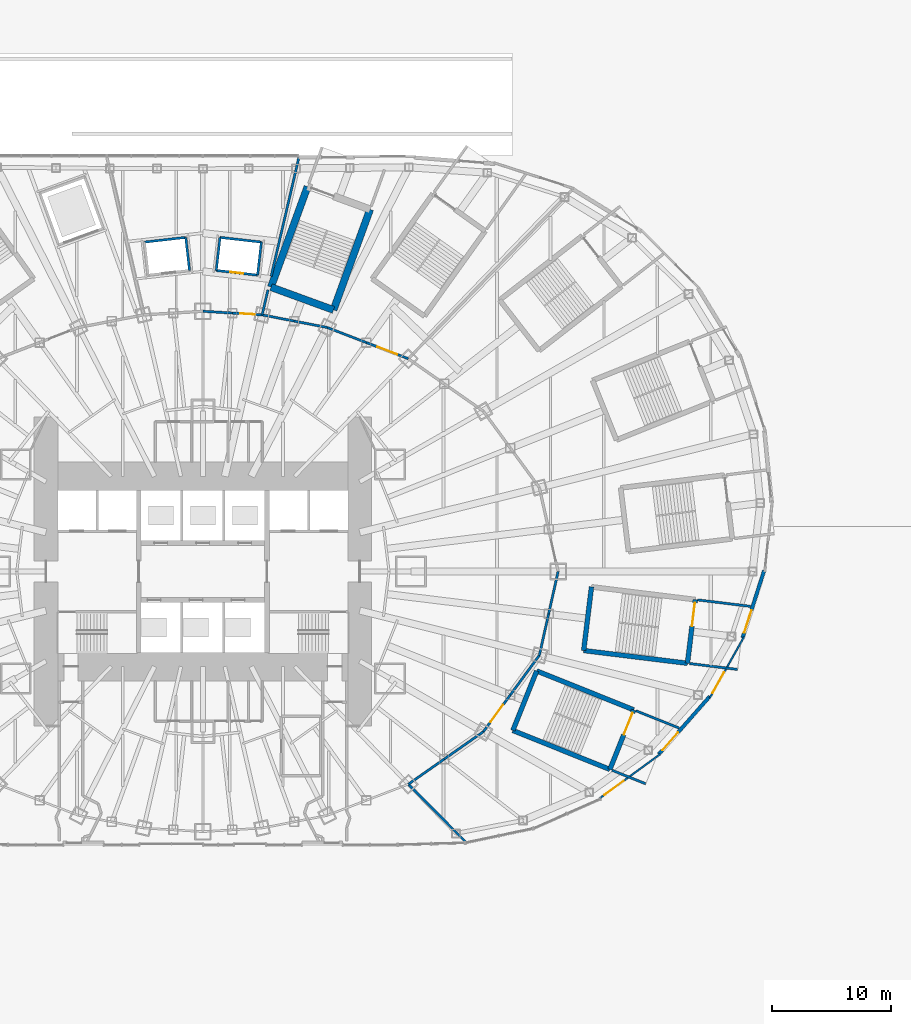
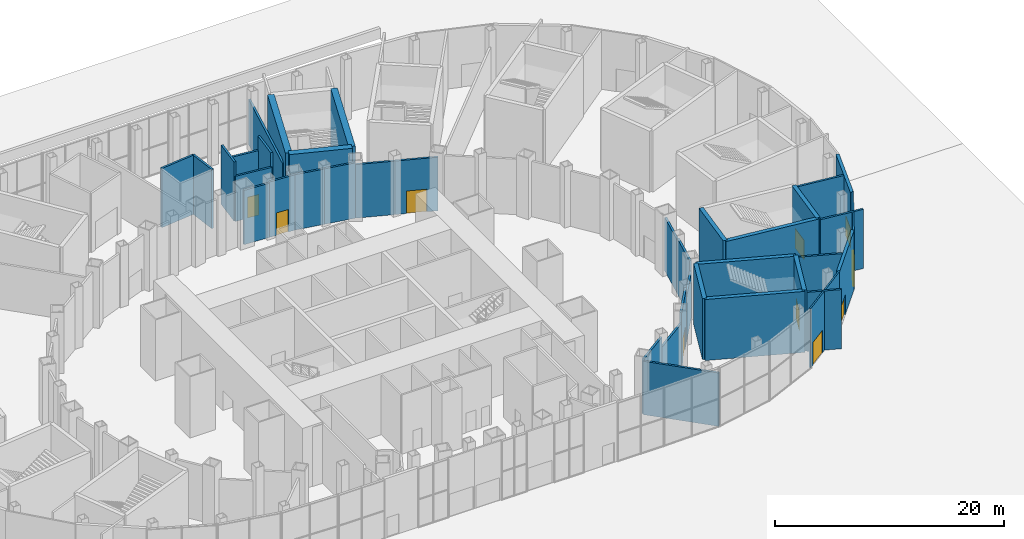
# One storey, part 20 of 47: 39 walls, 10 doors, 10 openings.
"""IFC4 building model written with IfcOpenShell, lengths in metres."""

from ifc_helpers import new_model, si_unit, direction, frame, frame_2d, origin, place, context, subcontext, project, spatial, rectangle, extrude, material, layer, layer_set, type_object, element, fill, save


model = new_model("IFC4")

# Units and contexts
model_context = context("Model", 3, precision=1e-05, world=origin(), true_north=direction((0.0, 1.0)))
body_context = subcontext(model_context, "Body", "Model", "MODEL_VIEW")
ifc_project = project(units=[si_unit("LENGTHUNIT", "METRE"), si_unit("AREAUNIT", "SQUARE_METRE"), si_unit("VOLUMEUNIT", "CUBIC_METRE"), si_unit("PLANEANGLEUNIT", "RADIAN"), si_unit("MASSUNIT", "GRAM", prefix="KILO")], contexts=[model_context])

# Site, building, storey
site_placement = place(None, origin())
site = spatial("IfcSite", under=ifc_project, at=site_placement, CompositionType="ELEMENT")
building_placement = place(site_placement, origin())
building = spatial("IfcBuilding", under=site, at=building_placement, Name="Lantaw Convention Tower", CompositionType="ELEMENT")
storey_placement = place(building_placement, origin())
storey = spatial("IfcBuildingStorey", under=building, at=storey_placement, Name="L00", CompositionType="ELEMENT", Elevation=0.0)

# Walls
ifc_material_1 = material(Name="Concrete blockwork, fire rated", Category="masonry")
ifc_layer_1 = layer(ifc_material_1, 0.199951171875)
ifc_layer_set_1 = layer_set([ifc_layer_1], Name="Exit vestibule wall 200 EI 120")
wall_type_1 = type_object("IfcWallType", Name="Exit vestibule wall 200 EI 120", PredefinedType="SOLIDWALL", material=ifc_layer_set_1)
wall_1_placement = place(storey_placement, frame((34.439208984375, -16.734619140625, 0.0), z_axis=(0.0, 0.0, 1.0), x_axis=(0.928012232862, -0.372549722396, 0.0)))
element("IfcWall", 1, at=wall_1_placement, inside=storey, type_object=wall_type_1, Name="Exit vestibule wall 200", PredefinedType="SOLIDWALL", context=body_context, shape_type="SweptSolid", body=[
    extrude(rectangle(XDim=3.0498046875, YDim=0.199951171875, at=frame_2d((1.52490234375, 0.0))), origin(), (0.0, 0.0, 1.0), 6.300048828125),
])
wall_2_placement = place(storey_placement, frame((36.450927734375, -11.723388671875, 0.0), z_axis=(0.0, 0.0, 1.0), x_axis=(0.928024835595, -0.372518327762, 0.0)))
element("IfcWall", 2, at=wall_2_placement, inside=storey, type_object=wall_type_1, Name="Exit vestibule wall 200", PredefinedType="SOLIDWALL", context=body_context, shape_type="SweptSolid", body=[
    extrude(rectangle(XDim=3.91845703125, YDim=0.199951171875, at=frame_2d((1.959228515625, 0.0))), origin(), (0.0, 0.0, 1.0), 6.300048828125),
])
wall_3_placement = place(storey_placement, frame((40.9833984375, -7.75244140625, 0.0), z_axis=(0.0, 0.0, 1.0), x_axis=(0.992543583225, -0.121890259659, 0.0)))
element("IfcWall", 3, at=wall_3_placement, inside=storey, type_object=wall_type_1, Name="Exit vestibule wall 200", PredefinedType="SOLIDWALL", context=body_context, shape_type="SweptSolid", body=[
    extrude(rectangle(XDim=4.050048828125, YDim=0.199951171875, at=frame_2d((2.02490234375, 0.0))), origin(), (0.0, 0.0, 1.0), 6.300048828125),
])
wall_4_placement = place(storey_placement, frame((41.6416015625, -2.392578125, 0.0), z_axis=(0.0, 0.0, 1.0), x_axis=(0.992546688155, -0.12186497377, 0.0)))
element("IfcWall", 4, at=wall_4_placement, inside=storey, type_object=wall_type_1, Name="Exit vestibule wall 200", PredefinedType="SOLIDWALL", context=body_context, shape_type="SweptSolid", body=[
    extrude(rectangle(XDim=4.487548828125, YDim=0.199951171875, at=frame_2d((2.24365234375, 0.0))), origin(), (0.0, 0.0, 1.0), 6.300048828125),
])

# Wall, opening, door
ifc_material_2 = material(Name="Aluminium framed glazing", Category="aluminium")
ifc_layer_2 = layer(ifc_material_2, 0.14990234375)
ifc_layer_set_2 = layer_set([ifc_layer_2], Name="Glazed entrance screen 150")
wall_type_2 = type_object("IfcWallType", Name="Glazed entrance screen 150", PredefinedType="ELEMENTEDWALL", material=ifc_layer_set_2)
wall_5_placement = place(storey_placement, frame((33.39892578125, -19.091796875, 0.0), z_axis=(0.0, 0.0, 1.0), x_axis=(0.807916937434, 0.589296378919, 0.0)))
wall_5 = element("IfcWall", 5, at=wall_5_placement, inside=storey, type_object=wall_type_2, Name="Glazed entrance screen", PredefinedType="ELEMENTEDWALL", context=body_context, shape_type="SweptSolid", body=[
    extrude(rectangle(XDim=6.308349609375, YDim=0.14990234375, at=frame_2d((3.154296875, 0.0))), origin(), (0.0, 0.0, 1.0), 6.300048828125),
])
opening_1_placement = place(wall_5_placement, frame((0.5, 0.0, 0.0)))
opening_1 = element("IfcOpeningElement", 6, at=opening_1_placement, cuts=wall_5, Name="Opening L00.X44", PredefinedType="OPENING", context=body_context, shape_type="SweptSolid", body=[
    extrude(rectangle(XDim=2.0, YDim=2.39990234375, at=frame_2d((1.0, 1.199951171875))), frame((0.0, 0.0849609375, 0.0), z_axis=(0.0, -1.0, 0.0), x_axis=(1.0, 0.0, 0.0)), (0.0, 0.0, 1.0), 0.169921875),
])
ifc_material_3 = material(Name="Aluminium and glass", Category="aluminium")
door_type_1 = type_object("IfcDoorType", Name="Entrance double door 2000", OperationType="DOUBLE_DOOR_DOUBLE_SWING", PredefinedType="DOOR", material=ifc_material_3)
door_1_placement = place(opening_1_placement, origin())
door_1 = element("IfcDoor", 7, at=door_1_placement, inside=storey, type_object=door_type_1, Name="Entrance", OperationType="DOUBLE_DOOR_DOUBLE_SWING", OverallHeight=2.39990234375, OverallWidth=2.0, PredefinedType="DOOR", context=body_context, shape_type="SweptSolid", body=[
    extrude(rectangle(XDim=2.0, YDim=2.39990234375, at=frame_2d((1.0, 1.199951171875))), frame((0.0, 0.02490234375, 0.0), z_axis=(0.0, -1.0, 0.0), x_axis=(1.0, 0.0, 0.0)), (0.0, 0.0, 1.0), 0.050048828125),
])
fill(opening_1, door_1)

wall_6_placement = place(storey_placement, frame((42.65478515625, -10.654296875, 0.0), z_axis=(0.0, 0.0, 1.0), x_axis=(0.489563544979, 0.871967622924, 0.0)))
wall_6 = element("IfcWall", 8, at=wall_6_placement, inside=storey, type_object=wall_type_2, Name="Glazed entrance screen", PredefinedType="ELEMENTEDWALL", context=body_context, shape_type="SweptSolid", body=[
    extrude(rectangle(XDim=5.882568359375, YDim=0.14990234375, at=frame_2d((2.94140625, 0.0))), origin(), (0.0, 0.0, 1.0), 6.300048828125),
])
opening_2_placement = place(wall_6_placement, frame((0.5, 0.0, 0.0)))
opening_2 = element("IfcOpeningElement", 9, at=opening_2_placement, cuts=wall_6, Name="Opening L00.X46", PredefinedType="OPENING", context=body_context, shape_type="SweptSolid", body=[
    extrude(rectangle(XDim=2.0, YDim=2.39990234375, at=frame_2d((1.0, 1.199951171875))), frame((0.0, 0.0849609375, 0.0), z_axis=(0.0, -1.0, 0.0), x_axis=(1.0, 0.0, 0.0)), (0.0, 0.0, 1.0), 0.169921875),
])
door_2_placement = place(opening_2_placement, origin())
door_2 = element("IfcDoor", 10, at=door_2_placement, inside=storey, type_object=door_type_1, Name="Entrance", OperationType="DOUBLE_DOOR_DOUBLE_SWING", OverallHeight=2.39990234375, OverallWidth=2.0, PredefinedType="DOOR", context=body_context, shape_type="SweptSolid", body=[
    extrude(rectangle(XDim=2.0, YDim=2.39990234375, at=frame_2d((1.0, 1.199951171875))), frame((0.0, 0.02490234375, 0.0), z_axis=(0.0, -1.0, 0.0), x_axis=(1.0, 0.0, 0.0)), (0.0, 0.0, 1.0), 0.050048828125),
])
fill(opening_2, door_2)

# Walls
ifc_layer_3 = layer(ifc_material_1, 0.199951171875)
ifc_layer_set_3 = layer_set([ifc_layer_3], Name="Lift shaft wall 200 EI 120")
wall_type_3 = type_object("IfcWallType", Name="Lift shaft wall 200 EI 120", PredefinedType="SOLIDWALL", material=ifc_layer_set_3)
wall_7_placement = place(storey_placement, frame((4.602783203125, 24.939208984375, 0.0), z_axis=(0.0, 0.0, 1.0), x_axis=(0.113177712989, 0.993574760792, 0.0)))
element("IfcWall", 11, at=wall_7_placement, inside=storey, type_object=wall_type_3, Name="Lift shaft wall", PredefinedType="SOLIDWALL", context=body_context, shape_type="SweptSolid", body=[
    extrude(rectangle(XDim=2.800048828125, YDim=0.199951171875, at=frame_2d((1.39990234375, 0.0))), origin(), (0.0, 0.0, 1.0), 6.300048828125),
])
wall_8_placement = place(storey_placement, frame((4.919677734375, 27.72119140625, 0.0), z_axis=(0.0, 0.0, 1.0), x_axis=(-0.993571061716, 0.113210182053, 0.0)))
element("IfcWall", 12, at=wall_8_placement, inside=storey, type_object=wall_type_3, Name="Lift shaft wall", PredefinedType="SOLIDWALL", context=body_context, shape_type="SweptSolid", body=[
    extrude(rectangle(XDim=3.5, YDim=0.199951171875, at=frame_2d((1.75, 0.0))), origin(), (0.0, 0.0, 1.0), 4.800048828125),
])
wall_9_placement = place(storey_placement, frame((1.442138671875, 28.117431640625, 0.0), z_axis=(0.0, 0.0, 1.0), x_axis=(-0.113177712989, -0.993574760792, 0.0)))
element("IfcWall", 13, at=wall_9_placement, inside=storey, type_object=wall_type_3, Name="Lift shaft wall", PredefinedType="SOLIDWALL", context=body_context, shape_type="SweptSolid", body=[
    extrude(rectangle(XDim=2.800048828125, YDim=0.199951171875, at=frame_2d((1.39990234375, 0.0))), origin(), (0.0, 0.0, 1.0), 6.300048828125),
])

# Wall, opening, door
wall_10_placement = place(storey_placement, frame((1.125244140625, 25.33544921875, 0.0), z_axis=(0.0, 0.0, 1.0), x_axis=(0.993571061716, -0.113210182053, 0.0)))
wall_10 = element("IfcWall", 14, at=wall_10_placement, inside=storey, type_object=wall_type_3, Name="Lift shaft wall", PredefinedType="SOLIDWALL", context=body_context, shape_type="SweptSolid", body=[
    extrude(rectangle(XDim=3.5, YDim=0.199951171875, at=frame_2d((1.75, 0.0))), origin(), (0.0, 0.0, 1.0), 4.800048828125),
])
opening_3_placement = place(wall_10_placement, frame((1.199951171875, 0.0, 0.0)))
opening_3 = element("IfcOpeningElement", 15, at=opening_3_placement, cuts=wall_10, Name="Opening LDPL1", PredefinedType="OPENING", context=body_context, shape_type="SweptSolid", body=[
    extrude(rectangle(XDim=1.10009765625, YDim=2.199951171875, at=frame_2d((0.550048828125, 1.10009765625))), frame((0.0, 0.10986328125, 0.0), z_axis=(0.0, -1.0, 0.0), x_axis=(1.0, 0.0, 0.0)), (0.0, 0.0, 1.0), 0.219970703125),
])
ifc_material_4 = material(Name="Stainless steel", Category="steel")
door_type_2 = type_object("IfcDoorType", Name="Lift landing door 1100", OperationType="DOUBLE_DOOR_SLIDING", PredefinedType="DOOR", material=ifc_material_4)
door_3_placement = place(opening_3_placement, origin())
door_3 = element("IfcDoor", 16, at=door_3_placement, inside=storey, type_object=door_type_2, Name="Lift landing door PL1", OperationType="DOUBLE_DOOR_SLIDING", OverallHeight=2.199951171875, OverallWidth=1.10009765625, PredefinedType="DOOR", context=body_context, shape_type="SweptSolid", body=[
    extrude(rectangle(XDim=1.10009765625, YDim=2.199951171875, at=frame_2d((0.550048828125, 1.10009765625))), frame((0.0, 0.02490234375, 0.0), z_axis=(0.0, -1.0, 0.0), x_axis=(1.0, 0.0, 0.0)), (0.0, 0.0, 1.0), 0.050048828125),
])
fill(opening_3, door_3)

# Walls
wall_11_placement = place(storey_placement, frame((-1.125244140625, 25.33544921875, 0.0), z_axis=(0.0, 0.0, 1.0), x_axis=(-0.113177712989, 0.993574760792, 0.0)))
element("IfcWall", 17, at=wall_11_placement, inside=storey, type_object=wall_type_3, Name="Lift shaft wall", PredefinedType="SOLIDWALL", context=body_context, shape_type="SweptSolid", body=[
    extrude(rectangle(XDim=2.800048828125, YDim=0.199951171875, at=frame_2d((1.39990234375, 0.0))), origin(), (0.0, 0.0, 1.0), 6.300048828125),
])
wall_12_placement = place(storey_placement, frame((-1.442138671875, 28.117431640625, 0.0), z_axis=(0.0, 0.0, 1.0), x_axis=(-0.993571061716, -0.113210182053, 0.0)))
element("IfcWall", 18, at=wall_12_placement, inside=storey, type_object=wall_type_3, Name="Lift shaft wall", PredefinedType="SOLIDWALL", context=body_context, shape_type="SweptSolid", body=[
    extrude(rectangle(XDim=3.5, YDim=0.199951171875, at=frame_2d((1.75, 0.0))), origin(), (0.0, 0.0, 1.0), 6.300048828125),
])

# Wall, opening, door
ifc_material_5 = material(Name="Precast concrete panel, pale aluminium rainscreen", Category="concrete")
ifc_layer_4 = layer(ifc_material_5, 0.300048828125)
ifc_layer_set_4 = layer_set([ifc_layer_4], Name="Podium external wall 300")
wall_type_4 = type_object("IfcWallType", Name="Podium external wall 300", PredefinedType="SOLIDWALL", material=ifc_layer_set_4)
wall_13_placement = place(storey_placement, frame((38.368408203125, -15.38916015625, 0.0), z_axis=(0.0, 0.0, 1.0), x_axis=(0.661196672464, 0.75021261008, 0.0)))
wall_13 = element("IfcWall", 19, at=wall_13_placement, inside=storey, type_object=wall_type_4, Name="Podium facade wall", PredefinedType="SOLIDWALL", context=body_context, shape_type="SweptSolid", body=[
    extrude(rectangle(XDim=6.48095703125, YDim=0.300048828125, at=frame_2d((3.240478515625, 0.0))), origin(), (0.0, 0.0, 1.0), 6.300048828125),
])
opening_4_placement = place(wall_13_placement, frame((0.449951171875, 0.0, 0.0)))
opening_4 = element("IfcOpeningElement", 20, at=opening_4_placement, cuts=wall_13, Name="Opening L00.X45", PredefinedType="OPENING", context=body_context, shape_type="SweptSolid", body=[
    extrude(rectangle(XDim=2.0, YDim=2.10009765625, at=frame_2d((1.0, 1.050048828125))), frame((0.0, 0.159912109375, 0.0), z_axis=(0.0, -1.0, 0.0), x_axis=(1.0, 0.0, 0.0)), (0.0, 0.0, 1.0), 0.320068359375),
])
door_type_3 = type_object("IfcDoorType", Name="Exit double door 2000", OperationType="DOUBLE_DOOR_DOUBLE_SWING", PredefinedType="DOOR", material=ifc_material_3)
door_4_placement = place(opening_4_placement, origin())
door_4 = element("IfcDoor", 21, at=door_4_placement, inside=storey, type_object=door_type_3, Name="Exit door", OperationType="DOUBLE_DOOR_DOUBLE_SWING", OverallHeight=2.10009765625, OverallWidth=2.0, PredefinedType="DOOR", context=body_context, shape_type="SweptSolid", body=[
    extrude(rectangle(XDim=2.0, YDim=2.10009765625, at=frame_2d((1.0, 1.050048828125))), frame((0.0, 0.02490234375, 0.0), z_axis=(0.0, -1.0, 0.0), x_axis=(1.0, 0.0, 0.0)), (0.0, 0.0, 1.0), 0.050048828125),
])
fill(opening_4, door_4)

wall_14_placement = place(storey_placement, frame((45.42529296875, -5.5888671875, 0.0), z_axis=(0.0, 0.0, 1.0), x_axis=(0.304991367091, 0.95235511549, 0.0)))
wall_14 = element("IfcWall", 22, at=wall_14_placement, inside=storey, type_object=wall_type_4, Name="Podium facade wall", PredefinedType="SOLIDWALL", context=body_context, shape_type="SweptSolid", body=[
    extrude(rectangle(XDim=5.956298828125, YDim=0.300048828125, at=frame_2d((2.97802734375, 0.0))), origin(), (0.0, 0.0, 1.0), 6.300048828125),
])
opening_5_placement = place(wall_14_placement, frame((0.449951171875, 0.0, 0.0)))
opening_5 = element("IfcOpeningElement", 23, at=opening_5_placement, cuts=wall_14, Name="Opening L00.X47", PredefinedType="OPENING", context=body_context, shape_type="SweptSolid", body=[
    extrude(rectangle(XDim=2.0, YDim=2.10009765625, at=frame_2d((1.0, 1.050048828125))), frame((0.0, 0.159912109375, 0.0), z_axis=(0.0, -1.0, 0.0), x_axis=(1.0, 0.0, 0.0)), (0.0, 0.0, 1.0), 0.320068359375),
])
door_5_placement = place(opening_5_placement, origin())
door_5 = element("IfcDoor", 24, at=door_5_placement, inside=storey, type_object=door_type_3, Name="Exit door", OperationType="DOUBLE_DOOR_DOUBLE_SWING", OverallHeight=2.10009765625, OverallWidth=2.0, PredefinedType="DOOR", context=body_context, shape_type="SweptSolid", body=[
    extrude(rectangle(XDim=2.0, YDim=2.10009765625, at=frame_2d((1.0, 1.050048828125))), frame((0.0, 0.02490234375, 0.0), z_axis=(0.0, -1.0, 0.0), x_axis=(1.0, 0.0, 0.0)), (0.0, 0.0, 1.0), 0.050048828125),
])
fill(opening_5, door_5)

ifc_layer_5 = layer(ifc_material_1, 0.199951171875)
ifc_layer_set_5 = layer_set([ifc_layer_5], Name="Podium lobby wall 200 EI 120")
wall_type_5 = type_object("IfcWallType", Name="Podium lobby wall 200 EI 120", PredefinedType="SOLIDWALL", material=ifc_layer_set_5)
wall_15_placement = place(storey_placement, frame((4.986328125, 21.59814453125, 0.0), z_axis=(0.0, 0.0, 1.0), x_axis=(-0.998172405641, 0.060430527186, 0.0)))
wall_15 = element("IfcWall", 25, at=wall_15_placement, inside=storey, type_object=wall_type_5, Name="Podium lobby wall 200", PredefinedType="SOLIDWALL", context=body_context, shape_type="SweptSolid", body=[
    extrude(rectangle(XDim=2.512939453125, YDim=0.199951171875, at=frame_2d((1.25634765625, 0.0))), origin(), (0.0, 0.0, 1.0), 5.896240234375),
])
opening_6_placement = place(wall_15_placement, frame((0.639892578125, 0.0, 0.0)))
opening_6 = element("IfcOpeningElement", 26, at=opening_6_placement, cuts=wall_15, Name="Opening L00.20", PredefinedType="OPENING", context=body_context, shape_type="SweptSolid", body=[
    extrude(rectangle(XDim=1.199951171875, YDim=2.39990234375, at=frame_2d((0.60009765625, 1.199951171875))), frame((0.0, 0.10986328125, 0.0), z_axis=(0.0, -1.0, 0.0), x_axis=(1.0, 0.0, 0.0)), (0.0, 0.0, 1.0), 0.219970703125),
])
ifc_material_6 = material(Name="Steel, fire rated", Category="steel")
door_type_4 = type_object("IfcDoorType", Name="Lobby door 1200 FD90", OperationType="SINGLE_SWING_RIGHT", PredefinedType="DOOR", material=ifc_material_6)
door_6_placement = place(opening_6_placement, origin())
door_6 = element("IfcDoor", 27, at=door_6_placement, inside=storey, type_object=door_type_4, Name="Podium lift lobby door", OperationType="SINGLE_SWING_RIGHT", OverallHeight=2.39990234375, OverallWidth=1.199951171875, PredefinedType="DOOR", context=body_context, shape_type="SweptSolid", body=[
    extrude(rectangle(XDim=1.199951171875, YDim=2.39990234375, at=frame_2d((0.60009765625, 1.199951171875))), frame((0.0, 0.02490234375, 0.0), z_axis=(0.0, -1.0, 0.0), x_axis=(1.0, 0.0, 0.0)), (0.0, 0.0, 1.0), 0.050048828125),
])
fill(opening_6, door_6)

wall_16_placement = place(storey_placement, frame((23.60498046875, -13.488525390625, 0.0), z_axis=(0.0, 0.0, 1.0), x_axis=(0.591286566758, 0.806461527893, 0.0)))
wall_16 = element("IfcWall", 28, at=wall_16_placement, inside=storey, type_object=wall_type_5, Name="Podium lobby wall 200", PredefinedType="SOLIDWALL", context=body_context, shape_type="SweptSolid", body=[
    extrude(rectangle(XDim=3.843994140625, YDim=0.199951171875, at=frame_2d((1.921875, 0.0))), origin(), (0.0, 0.0, 1.0), 5.896240234375),
])
opening_7_placement = place(wall_16_placement, frame((1.022216796875, 0.0, 0.0)))
opening_7 = element("IfcOpeningElement", 29, at=opening_7_placement, cuts=wall_16, Name="Opening L00.18", PredefinedType="OPENING", context=body_context, shape_type="SweptSolid", body=[
    extrude(rectangle(XDim=1.800048828125, YDim=2.39990234375, at=frame_2d((0.89990234375, 1.199951171875))), frame((0.0, 0.10986328125, 0.0), z_axis=(0.0, -1.0, 0.0), x_axis=(1.0, 0.0, 0.0)), (0.0, 0.0, 1.0), 0.219970703125),
])
door_type_5 = type_object("IfcDoorType", Name="Lobby hall double door 1800 FD90", OperationType="DOUBLE_DOOR_DOUBLE_SWING", PredefinedType="DOOR", material=ifc_material_6)
door_7_placement = place(opening_7_placement, origin())
door_7 = element("IfcDoor", 30, at=door_7_placement, inside=storey, type_object=door_type_5, Name="Hotel arrival lobby door", OperationType="DOUBLE_DOOR_DOUBLE_SWING", OverallHeight=2.39990234375, OverallWidth=1.800048828125, PredefinedType="DOOR", context=body_context, shape_type="SweptSolid", body=[
    extrude(rectangle(XDim=1.800048828125, YDim=2.39990234375, at=frame_2d((0.89990234375, 1.199951171875))), frame((0.0, 0.02490234375, 0.0), z_axis=(0.0, -1.0, 0.0), x_axis=(1.0, 0.0, 0.0)), (0.0, 0.0, 1.0), 0.050048828125),
])
fill(opening_7, door_7)

ifc_material_7 = material(Name="Concrete blockwork", Category="masonry")
ifc_layer_6 = layer(ifc_material_7, 0.199951171875)
ifc_layer_set_6 = layer_set([ifc_layer_6], Name="Podium partition 200")
wall_type_6 = type_object("IfcWallType", Name="Podium partition 200", PredefinedType="SOLIDWALL", material=ifc_layer_set_6)
wall_17_placement = place(storey_placement, frame((17.290771484375, 17.9052734375, 0.0), z_axis=(0.0, 0.0, 1.0), x_axis=(-0.933224646415, 0.359293416754, 0.0)))
wall_17 = element("IfcWall", 31, at=wall_17_placement, inside=storey, type_object=wall_type_6, Name="Podium partition 200", PredefinedType="SOLIDWALL", context=body_context, shape_type="SweptSolid", body=[
    extrude(rectangle(XDim=3.799072265625, YDim=0.199951171875, at=frame_2d((1.8994140625, 0.0))), origin(), (0.0, 0.0, 1.0), 5.700439453125),
])
opening_8_placement = place(wall_17_placement, frame((0.99951171875, 0.0, 0.0)))
opening_8 = element("IfcOpeningElement", 32, at=opening_8_placement, cuts=wall_17, Name="Opening L00.19", PredefinedType="OPENING", context=body_context, shape_type="SweptSolid", body=[
    extrude(rectangle(XDim=1.800048828125, YDim=2.39990234375, at=frame_2d((0.89990234375, 1.199951171875))), frame((0.0, 0.10986328125, 0.0), z_axis=(0.0, -1.0, 0.0), x_axis=(1.0, 0.0, 0.0)), (0.0, 0.0, 1.0), 0.219970703125),
])
ifc_material_8 = material(Name="Timber", Category="wood")
door_type_6 = type_object("IfcDoorType", Name="Hall double door 1800", OperationType="DOUBLE_DOOR_DOUBLE_SWING", PredefinedType="DOOR", material=ifc_material_8)
door_8_placement = place(opening_8_placement, origin())
door_8 = element("IfcDoor", 33, at=door_8_placement, inside=storey, type_object=door_type_6, Name="Retail shop door", OperationType="DOUBLE_DOOR_DOUBLE_SWING", OverallHeight=2.39990234375, OverallWidth=1.800048828125, PredefinedType="DOOR", context=body_context, shape_type="SweptSolid", body=[
    extrude(rectangle(XDim=1.800048828125, YDim=2.39990234375, at=frame_2d((0.89990234375, 1.199951171875))), frame((0.0, 0.02490234375, 0.0), z_axis=(0.0, -1.0, 0.0), x_axis=(1.0, 0.0, 0.0)), (0.0, 0.0, 1.0), 0.050048828125),
])
fill(opening_8, door_8)

# Walls
wall_18_placement = place(storey_placement, frame((13.745361328125, 19.270263671875, 0.0), z_axis=(0.0, 0.0, 1.0), x_axis=(-0.933241815012, 0.359248820058, 0.0)))
element("IfcWall", 34, at=wall_18_placement, inside=storey, type_object=wall_type_6, Name="Podium partition 200", PredefinedType="SOLIDWALL", context=body_context, shape_type="SweptSolid", body=[
    extrude(rectangle(XDim=3.517578125, YDim=0.199951171875, at=frame_2d((1.7587890625, 0.0))), origin(), (0.0, 0.0, 1.0), 5.700439453125),
])
wall_19_placement = place(storey_placement, frame((10.462646484375, 20.533935546875, 0.0), z_axis=(0.0, 0.0, 1.0), x_axis=(-0.98163593748, 0.190763954266, 0.0)))
element("IfcWall", 35, at=wall_19_placement, inside=storey, type_object=wall_type_6, Name="Podium partition 200", PredefinedType="SOLIDWALL", context=body_context, shape_type="SweptSolid", body=[
    extrude(rectangle(XDim=2.84375, YDim=0.199951171875, at=frame_2d((1.421875, 0.0))), origin(), (0.0, 0.0, 1.0), 5.896240234375),
])
wall_20_placement = place(storey_placement, frame((7.671142578125, 21.076416015625, 0.0), z_axis=(0.0, 0.0, 1.0), x_axis=(-0.981637218105, 0.190757364289, 0.0)))
element("IfcWall", 36, at=wall_20_placement, inside=storey, type_object=wall_type_6, Name="Podium partition 200", PredefinedType="SOLIDWALL", context=body_context, shape_type="SweptSolid", body=[
    extrude(rectangle(XDim=2.735107421875, YDim=0.199951171875, at=frame_2d((1.36767578125, 0.0))), origin(), (0.0, 0.0, 1.0), 5.896240234375),
])
wall_21_placement = place(storey_placement, frame((2.47802734375, 21.75, 0.0), z_axis=(0.0, 0.0, 1.0), x_axis=(-0.998175328335, 0.060382231685, 0.0)))
element("IfcWall", 37, at=wall_21_placement, inside=storey, type_object=wall_type_6, Name="Podium partition 200", PredefinedType="SOLIDWALL", context=body_context, shape_type="SweptSolid", body=[
    extrude(rectangle(XDim=2.482666015625, YDim=0.199951171875, at=frame_2d((1.2412109375, 0.0))), origin(), (0.0, 0.0, 1.0), 5.774169921875),
])
wall_22_placement = place(storey_placement, frame((17.290771484375, -17.9052734375, 0.0), z_axis=(0.0, 0.0, 1.0), x_axis=(0.819431174801, 0.573177590075, 0.0)))
element("IfcWall", 38, at=wall_22_placement, inside=storey, type_object=wall_type_6, Name="Podium partition 200", PredefinedType="SOLIDWALL", context=body_context, shape_type="SweptSolid", body=[
    extrude(rectangle(XDim=3.68310546875, YDim=0.199951171875, at=frame_2d((1.841552734375, 0.0))), origin(), (0.0, 0.0, 1.0), 5.896240234375),
])
wall_23_placement = place(storey_placement, frame((20.308837890625, -15.794189453125, 0.0), z_axis=(0.0, 0.0, 1.0), x_axis=(0.81942291701, 0.57318939547, 0.0)))
element("IfcWall", 39, at=wall_23_placement, inside=storey, type_object=wall_type_6, Name="Podium partition 200", PredefinedType="SOLIDWALL", context=body_context, shape_type="SweptSolid", body=[
    extrude(rectangle(XDim=4.0224609375, YDim=0.199951171875, at=frame_2d((2.01123046875, 0.0))), origin(), (0.0, 0.0, 1.0), 4.800048828125),
])
wall_24_placement = place(storey_placement, frame((25.8779296875, -10.388427734375, 0.0), z_axis=(0.0, 0.0, 1.0), x_axis=(0.591255937291, 0.806483984105, 0.0)))
element("IfcWall", 40, at=wall_24_placement, inside=storey, type_object=wall_type_6, Name="Podium partition 200", PredefinedType="SOLIDWALL", context=body_context, shape_type="SweptSolid", body=[
    extrude(rectangle(XDim=4.126708984375, YDim=0.199951171875, at=frame_2d((2.0634765625, 0.0))), origin(), (0.0, 0.0, 1.0), 4.800048828125),
])
wall_25_placement = place(storey_placement, frame((28.31787109375, -7.060302734375, 0.0), z_axis=(0.0, 0.0, 1.0), x_axis=(0.218673326171, 0.97579812278, 0.0)))
element("IfcWall", 41, at=wall_25_placement, inside=storey, type_object=wall_type_6, Name="Podium partition 200", PredefinedType="SOLIDWALL", context=body_context, shape_type="SweptSolid", body=[
    extrude(rectangle(XDim=3.57373046875, YDim=0.199951171875, at=frame_2d((1.786865234375, 0.0))), origin(), (0.0, 0.0, 1.0), 5.896240234375),
])
wall_26_placement = place(storey_placement, frame((29.099365234375, -3.572998046875, 0.0), z_axis=(0.0, 0.0, 1.0), x_axis=(0.218631550323, 0.975807483679, 0.0)))
element("IfcWall", 42, at=wall_26_placement, inside=storey, type_object=wall_type_6, Name="Podium partition 200", PredefinedType="SOLIDWALL", context=body_context, shape_type="SweptSolid", body=[
    extrude(rectangle(XDim=3.66162109375, YDim=0.199951171875, at=frame_2d((1.830810546875, 0.0))), origin(), (0.0, 0.0, 1.0), 5.687744140625),
])
wall_27_placement = place(storey_placement, frame((4.986328125, 21.59814453125, 0.0), z_axis=(0.0, 0.0, 1.0), x_axis=(0.227351065365, 0.973812863479, 0.0)))
element("IfcWall", 43, at=wall_27_placement, inside=storey, type_object=wall_type_6, Name="Podium partition 200", PredefinedType="SOLIDWALL", context=body_context, shape_type="SweptSolid", body=[
    extrude(rectangle(XDim=2.16064453125, YDim=0.199951171875, at=frame_2d((1.080322265625, 0.0))), origin(), (0.0, 0.0, 1.0), 4.800048828125),
])
wall_28_placement = place(storey_placement, frame((5.745361328125, 24.848876953125, 0.0), z_axis=(0.0, 0.0, 1.0), x_axis=(0.227353607936, 0.973812269875, 0.0)))
element("IfcWall", 44, at=wall_28_placement, inside=storey, type_object=wall_type_6, Name="Podium partition 200", PredefinedType="SOLIDWALL", context=body_context, shape_type="SweptSolid", body=[
    extrude(rectangle(XDim=10.270263671875, YDim=0.199951171875, at=frame_2d((5.13525390625, 0.0))), origin(), (0.0, 0.0, 1.0), 4.800048828125),
])
wall_29_placement = place(storey_placement, frame((17.290771484375, -17.9052734375, 0.0), z_axis=(0.0, 0.0, 1.0), x_axis=(0.704323771284, -0.709878880658, 0.0)))
element("IfcWall", 45, at=wall_29_placement, inside=storey, type_object=wall_type_6, Name="Podium partition 200", PredefinedType="SOLIDWALL", context=body_context, shape_type="SweptSolid", body=[
    extrude(rectangle(XDim=6.85595703125, YDim=0.199951171875, at=frame_2d((3.427978515625, 0.0))), origin(), (0.0, 0.0, 1.0), 5.687744140625),
])
ifc_material_9 = material(Name="Concrete C40/50, stair core", Category="concrete")
ifc_layer_7 = layer(ifc_material_9, 0.39990234375)
ifc_layer_set_7 = layer_set([ifc_layer_7], Name="Stair enclosure wall 400 EI 120")
wall_type_7 = type_object("IfcWallType", Name="Stair enclosure wall 400 EI 120", PredefinedType="SHEAR", material=ifc_layer_set_7)
wall_30_placement = place(storey_placement, frame((26.0869140625, -13.3818359375, 0.0), z_axis=(0.0, 0.0, 1.0), x_axis=(0.92801678004, -0.372538395288, 0.0)))
element("IfcWall", 46, at=wall_30_placement, inside=storey, type_object=wall_type_7, Name="Stair enclosure wall", PredefinedType="SHEAR", context=body_context, shape_type="SweptSolid", body=[
    extrude(rectangle(XDim=8.800048828125, YDim=0.39990234375, at=frame_2d((4.39990234375, 0.0))), origin(), (0.0, 0.0, 1.0), 6.5),
])

# Wall, opening, door
wall_31_placement = place(storey_placement, frame((34.25341796875, -16.66015625, 0.0), z_axis=(0.0, 0.0, 1.0), x_axis=(0.372544066459, 0.928014503414, 0.0)))
wall_31 = element("IfcWall", 47, at=wall_31_placement, inside=storey, type_object=wall_type_7, Name="Stair enclosure wall", PredefinedType="SHEAR", context=body_context, shape_type="SweptSolid", body=[
    extrude(rectangle(XDim=5.39990234375, YDim=0.39990234375, at=frame_2d((2.699951171875, 0.0))), origin(), (0.0, 0.0, 1.0), 6.5),
])
opening_9_placement = place(wall_31_placement, frame((3.14990234375, 0.0, 0.0)))
opening_9 = element("IfcOpeningElement", 48, at=opening_9_placement, cuts=wall_31, Name="Opening L00.P12X", PredefinedType="OPENING", context=body_context, shape_type="SweptSolid", body=[
    extrude(rectangle(XDim=2.0, YDim=2.10009765625, at=frame_2d((1.0, 1.050048828125))), frame((0.0, 0.2099609375, 0.0), z_axis=(0.0, -1.0, 0.0), x_axis=(1.0, 0.0, 0.0)), (0.0, 0.0, 1.0), 0.419921875),
])
door_type_7 = type_object("IfcDoorType", Name="Stair discharge double door 2000 FD90", OperationType="DOUBLE_DOOR_DOUBLE_SWING", PredefinedType="DOOR", material=ifc_material_6)
door_9_placement = place(opening_9_placement, origin())
door_9 = element("IfcDoor", 49, at=door_9_placement, inside=storey, type_object=door_type_7, Name="Exit stair discharge door", OperationType="DOUBLE_DOOR_DOUBLE_SWING", OverallHeight=2.10009765625, OverallWidth=2.0, PredefinedType="DOOR", context=body_context, shape_type="SweptSolid", body=[
    extrude(rectangle(XDim=2.0, YDim=2.10009765625, at=frame_2d((1.0, 1.050048828125))), frame((0.0, 0.02490234375, 0.0), z_axis=(0.0, -1.0, 0.0), x_axis=(1.0, 0.0, 0.0)), (0.0, 0.0, 1.0), 0.050048828125),
])
fill(opening_9, door_9)

# Walls
wall_32_placement = place(storey_placement, frame((36.26513671875, -11.64892578125, 0.0), z_axis=(0.0, 0.0, 1.0), x_axis=(-0.928007188331, 0.372562287955, 0.0)))
element("IfcWall", 50, at=wall_32_placement, inside=storey, type_object=wall_type_7, Name="Stair enclosure wall", PredefinedType="SHEAR", context=body_context, shape_type="SweptSolid", body=[
    extrude(rectangle(XDim=8.800048828125, YDim=0.39990234375, at=frame_2d((4.39990234375, 0.0))), origin(), (0.0, 0.0, 1.0), 6.5),
])
wall_33_placement = place(storey_placement, frame((28.0986328125, -8.370361328125, 0.0), z_axis=(0.0, 0.0, 1.0), x_axis=(-0.372528436202, -0.928020777904, 0.0)))
element("IfcWall", 51, at=wall_33_placement, inside=storey, type_object=wall_type_7, Name="Stair enclosure wall", PredefinedType="SHEAR", context=body_context, shape_type="SweptSolid", body=[
    extrude(rectangle(XDim=5.400146484375, YDim=0.39990234375, at=frame_2d((2.7001953125, 0.0))), origin(), (0.0, 0.0, 1.0), 6.5),
])
wall_34_placement = place(storey_placement, frame((32.050537109375, -6.655517578125, 0.0), z_axis=(0.0, 0.0, 1.0), x_axis=(0.992545280606, -0.121876437212, 0.0)))
element("IfcWall", 52, at=wall_34_placement, inside=storey, type_object=wall_type_7, Name="Stair enclosure wall", PredefinedType="SHEAR", context=body_context, shape_type="SweptSolid", body=[
    extrude(rectangle(XDim=8.800048828125, YDim=0.39990234375, at=frame_2d((4.39990234375, 0.0))), origin(), (0.0, 0.0, 1.0), 6.5),
])

# Wall, opening, door
wall_35_placement = place(storey_placement, frame((40.784912109375, -7.72802734375, 0.0), z_axis=(0.0, 0.0, 1.0), x_axis=(0.121892082937, 0.992543359314, 0.0)))
wall_35 = element("IfcWall", 53, at=wall_35_placement, inside=storey, type_object=wall_type_7, Name="Stair enclosure wall", PredefinedType="SHEAR", context=body_context, shape_type="SweptSolid", body=[
    extrude(rectangle(XDim=5.39990234375, YDim=0.39990234375, at=frame_2d((2.699951171875, 0.0))), origin(), (0.0, 0.0, 1.0), 6.5),
])
opening_10_placement = place(wall_35_placement, frame((3.14990234375, 0.0, 0.0)))
opening_10 = element("IfcOpeningElement", 54, at=opening_10_placement, cuts=wall_35, Name="Opening L00.P13X", PredefinedType="OPENING", context=body_context, shape_type="SweptSolid", body=[
    extrude(rectangle(XDim=2.0, YDim=2.10009765625, at=frame_2d((1.0, 1.050048828125))), frame((0.0, 0.2099609375, 0.0), z_axis=(0.0, -1.0, 0.0), x_axis=(1.0, 0.0, 0.0)), (0.0, 0.0, 1.0), 0.419921875),
])
door_10_placement = place(opening_10_placement, origin())
door_10 = element("IfcDoor", 55, at=door_10_placement, inside=storey, type_object=door_type_7, Name="Exit stair discharge door", OperationType="DOUBLE_DOOR_DOUBLE_SWING", OverallHeight=2.10009765625, OverallWidth=2.0, PredefinedType="DOOR", context=body_context, shape_type="SweptSolid", body=[
    extrude(rectangle(XDim=2.0, YDim=2.10009765625, at=frame_2d((1.0, 1.050048828125))), frame((0.0, 0.02490234375, 0.0), z_axis=(0.0, -1.0, 0.0), x_axis=(1.0, 0.0, 0.0)), (0.0, 0.0, 1.0), 0.050048828125),
])
fill(opening_10, door_10)

# Walls
wall_36_placement = place(storey_placement, frame((32.70849609375, -1.2958984375, 0.0), z_axis=(0.0, 0.0, 1.0), x_axis=(-0.12184754212, -0.99254882826, 0.0)))
element("IfcWall", 56, at=wall_36_placement, inside=storey, type_object=wall_type_7, Name="Stair enclosure wall", PredefinedType="SHEAR", context=body_context, shape_type="SweptSolid", body=[
    extrude(rectangle(XDim=5.39990234375, YDim=0.39990234375, at=frame_2d((2.699951171875, 0.0))), origin(), (0.0, 0.0, 1.0), 6.5),
])
ifc_layer_8 = layer(ifc_material_9, 0.60009765625)
ifc_layer_set_8 = layer_set([ifc_layer_8], Name="Stair enclosure wall 600 EI 120")
wall_type_8 = type_object("IfcWallType", Name="Stair enclosure wall 600 EI 120", PredefinedType="SHEAR", material=ifc_layer_set_8)
wall_37_placement = place(storey_placement, frame((10.9921875, 22.01416015625, 0.0), z_axis=(0.0, 0.0, 1.0), x_axis=(0.342013127703, 0.939695174234, 0.0)))
element("IfcWall", 57, at=wall_37_placement, inside=storey, type_object=wall_type_8, Name="Stair enclosure wall", PredefinedType="SHEAR", context=body_context, shape_type="SweptSolid", body=[
    extrude(rectangle(XDim=9.0, YDim=0.60009765625, at=frame_2d((4.5, 0.0))), origin(), (0.0, 0.0, 1.0), 6.5),
])
wall_38_placement = place(storey_placement, frame((8.80810546875, 32.38671875, 0.0), z_axis=(0.0, 0.0, 1.0), x_axis=(-0.3420218461, -0.939692001025, 0.0)))
element("IfcWall", 58, at=wall_38_placement, inside=storey, type_object=wall_type_8, Name="Stair enclosure wall", PredefinedType="SHEAR", context=body_context, shape_type="SweptSolid", body=[
    extrude(rectangle(XDim=8.999755859375, YDim=0.60009765625, at=frame_2d((4.5, 0.0))), origin(), (0.0, 0.0, 1.0), 6.5),
])
wall_39_placement = place(storey_placement, frame((5.72998046875, 23.9296875, 0.0), z_axis=(0.0, 0.0, 1.0), x_axis=(0.939678810556, -0.342058084236, 0.0)))
element("IfcWall", 59, at=wall_39_placement, inside=storey, type_object=wall_type_8, Name="Stair enclosure wall", PredefinedType="SHEAR", context=body_context, shape_type="SweptSolid", body=[
    extrude(rectangle(XDim=5.60009765625, YDim=0.60009765625, at=frame_2d((2.800048828125, 0.0))), origin(), (0.0, 0.0, 1.0), 6.5),
])

save(model, "model.ifc")
